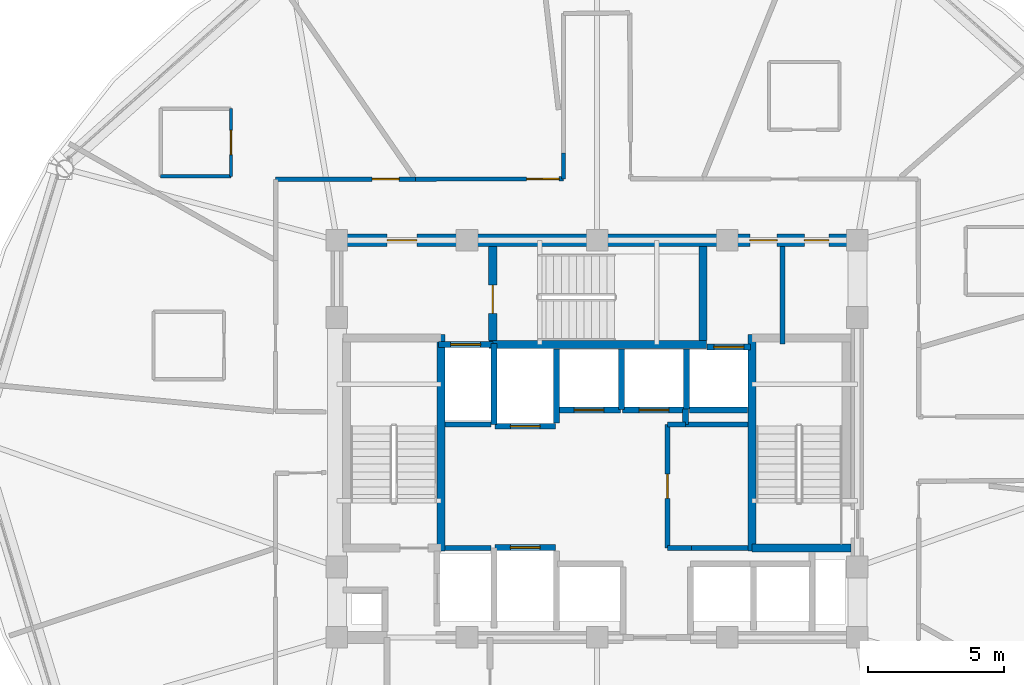
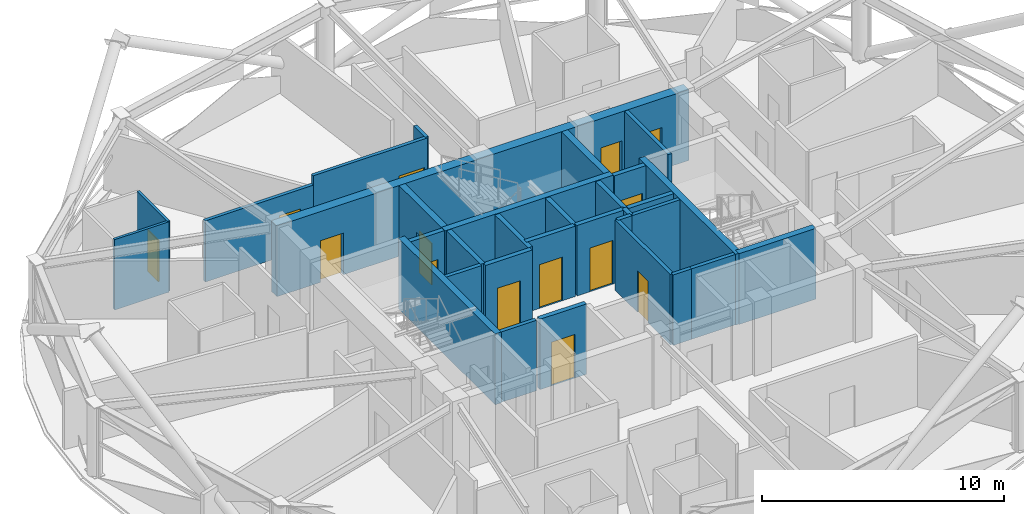
# One storey, part 24 of 30: 32 walls, 14 doors, 14 openings.
"""IFC4 building model written with IfcOpenShell, lengths in metres."""

from ifc_helpers import new_model, si_unit, direction, frame, frame_2d, origin, place, context, subcontext, project, spatial, rectangle, extrude, material, layer, layer_set, type_object, element, fill, save


model = new_model("IFC4")

# Units and contexts
model_context = context("Model", 3, precision=1e-05, world=origin(), true_north=direction((0.0, 1.0)))
body_context = subcontext(model_context, "Body", "Model", "MODEL_VIEW")
ifc_project = project(units=[si_unit("LENGTHUNIT", "METRE"), si_unit("AREAUNIT", "SQUARE_METRE"), si_unit("VOLUMEUNIT", "CUBIC_METRE"), si_unit("PLANEANGLEUNIT", "RADIAN"), si_unit("MASSUNIT", "GRAM", prefix="KILO")], contexts=[model_context])

# Site, building, storey
site_placement = place(None, origin())
site = spatial("IfcSite", under=ifc_project, at=site_placement, CompositionType="ELEMENT")
building_placement = place(site_placement, origin())
building = spatial("IfcBuilding", under=site, at=building_placement, Name="Vantalir Tower", CompositionType="ELEMENT")
storey_placement = place(building_placement, frame((0.0, 0.0, 189.89990234375)))
storey = spatial("IfcBuildingStorey", under=building, at=storey_placement, Name="L47", CompositionType="ELEMENT", Elevation=189.89990234375)

# Wall
ifc_material_1 = material(Name="Moisture-resistant en-suite partition", Category="gypsum")
ifc_layer_1 = layer(ifc_material_1, 0.125)
ifc_layer_set_1 = layer_set([ifc_layer_1], Name="Moisture-resistant en-suite partition")
wall_type_1 = type_object("IfcWallType", Name="WL-BATH-125", PredefinedType="PARTITIONING", material=ifc_layer_set_1)
wall_1_placement = place(storey_placement, frame((15.39501953125, 34.805908203125, 0.0), z_axis=(0.0, 0.0, 1.0), x_axis=(1.0, 0.0, 0.0)))
element("IfcWall", 1, at=wall_1_placement, inside=storey, type_object=wall_type_1, Name="L47 En-suite 05 South Wall", PredefinedType="PARTITIONING", context=body_context, shape_type="SweptSolid", body=[
    extrude(rectangle(XDim=2.60009765625, YDim=0.125, at=frame_2d((1.300048828125, 0.0))), origin(), (0.0, 0.0, 1.0), 3.550048828125),
])

# Wall, opening, door
wall_2_placement = place(storey_placement, frame((17.9951171875, 34.805908203125, 0.0), z_axis=(0.0, 0.0, 1.0), x_axis=(0.0, 1.0, 0.0)))
wall_2 = element("IfcWall", 2, at=wall_2_placement, inside=storey, type_object=wall_type_1, Name="L47 En-suite 05 East Wall", PredefinedType="PARTITIONING", context=body_context, shape_type="SweptSolid", body=[
    extrude(rectangle(XDim=2.5, YDim=0.125, at=frame_2d((1.25, 0.0))), origin(), (0.0, 0.0, 1.0), 3.550048828125),
])
opening_1_placement = place(wall_2_placement, frame((0.800048828125, 0.0, 0.0)))
opening_1 = element("IfcOpeningElement", 3, at=opening_1_placement, cuts=wall_2, Name="Opening D-WC", PredefinedType="OPENING", context=body_context, shape_type="SweptSolid", body=[
    extrude(rectangle(XDim=0.89990234375, YDim=2.10009765625, at=frame_2d((0.449951171875, 1.050048828125))), frame((0.0, 0.072509765625, 0.0), z_axis=(0.0, -1.0, 0.0), x_axis=(1.0, 0.0, 0.0)), (0.0, 0.0, 1.0), 0.14501953125),
])
ifc_material_2 = material(Name="Moisture-resistant hardwood door", Category="wood")
door_type_1 = type_object("IfcDoorType", Name="DR-ENSUITE-900", OperationType="NOTDEFINED", PredefinedType="DOOR", material=ifc_material_2)
door_1_placement = place(opening_1_placement, origin())
door_1 = element("IfcDoor", 4, at=door_1_placement, inside=storey, type_object=door_type_1, Name="L47 En-suite 05 Door", OperationType="SINGLE_SWING_LEFT", OverallHeight=2.10009765625, OverallWidth=0.89990234375, PredefinedType="DOOR", context=body_context, shape_type="SweptSolid", body=[
    extrude(rectangle(XDim=0.89990234375, YDim=2.10009765625, at=frame_2d((0.449951171875, 1.050048828125))), frame((0.0, 0.02490234375, 0.0), z_axis=(0.0, -1.0, 0.0), x_axis=(1.0, 0.0, 0.0)), (0.0, 0.0, 1.0), 0.050048828125),
])
fill(opening_1, door_1)

# Wall, openings, doors
ifc_material_3 = material(Name="Concrete C50/60", Category="concrete")
ifc_layer_2 = layer(ifc_material_3, 0.449951171875)
ifc_layer_set_2 = layer_set([ifc_layer_2], Name="Concrete C50/60")
wall_type_2 = type_object("IfcWallType", Name="WL-CORE-450", PredefinedType="SHEAR", material=ifc_layer_set_2)
wall_3_placement = place(storey_placement, frame((21.675048828125, 32.449951171875, 0.0), z_axis=(0.0, 0.0, 1.0), x_axis=(1.0, 0.0, 0.0)))
wall_3 = element("IfcWall", 5, at=wall_3_placement, inside=storey, type_object=wall_type_2, Name="L47 Core Shear Wall North", PredefinedType="SHEAR", context=body_context, shape_type="SweptSolid", body=[
    extrude(rectangle(XDim=19.64990234375, YDim=0.449951171875, at=frame_2d((9.824951171875, 0.0))), origin(), (0.0, 0.0, 1.0), 3.570068359375),
])
opening_2_placement = place(wall_3_placement, frame((2.074951171875, 0.0, 0.0)))
opening_2 = element("IfcOpeningElement", 6, at=opening_2_placement, cuts=wall_3, Name="Opening D-FFL", PredefinedType="OPENING", context=body_context, shape_type="SweptSolid", body=[
    extrude(rectangle(XDim=1.10009765625, YDim=2.10009765625, at=frame_2d((0.550048828125, 1.050048828125))), frame((0.0, 0.23486328125, 0.0), z_axis=(0.0, -1.0, 0.0), x_axis=(1.0, 0.0, 0.0)), (0.0, 0.0, 1.0), 0.469970703125),
])
opening_3_placement = place(wall_3_placement, frame((15.465087890625, 0.0, 0.0)))
opening_3 = element("IfcOpeningElement", 7, at=opening_3_placement, cuts=wall_3, Name="Opening D-GUEST", PredefinedType="OPENING", context=body_context, shape_type="SweptSolid", body=[
    extrude(rectangle(XDim=1.0, YDim=2.10009765625, at=frame_2d((0.5, 1.050048828125))), frame((0.0, 0.23486328125, 0.0), z_axis=(0.0, -1.0, 0.0), x_axis=(1.0, 0.0, 0.0)), (0.0, 0.0, 1.0), 0.469970703125),
])
opening_4_placement = place(wall_3_placement, frame((17.47509765625, 0.0, 0.0)))
opening_4 = element("IfcOpeningElement", 8, at=opening_4_placement, cuts=wall_3, Name="Opening D-CR", PredefinedType="OPENING", context=body_context, shape_type="SweptSolid", body=[
    extrude(rectangle(XDim=0.89990234375, YDim=2.10009765625, at=frame_2d((0.449951171875, 1.050048828125))), frame((0.0, 0.23486328125, 0.0), z_axis=(0.0, -1.0, 0.0), x_axis=(1.0, 0.0, 0.0)), (0.0, 0.0, 1.0), 0.469970703125),
])
ifc_material_4 = material(Name="Fire-rated steel core service door", Category="steel")
door_type_2 = type_object("IfcDoorType", Name="DR-CORE-SERV-900", OperationType="NOTDEFINED", PredefinedType="DOOR", material=ifc_material_4)
door_2_placement = place(opening_4_placement, frame((0.89990234375, 0.0, 0.0), z_axis=(0.0, 0.0, 1.0), x_axis=(-1.0, 0.0, 0.0)))
door_2 = element("IfcDoor", 9, at=door_2_placement, inside=storey, type_object=door_type_2, Name="L47 Housekeeping and Linen Room Door", OperationType="SINGLE_SWING_RIGHT", OverallHeight=2.10009765625, OverallWidth=0.89990234375, PredefinedType="DOOR", context=body_context, shape_type="SweptSolid", body=[
    extrude(rectangle(XDim=0.89990234375, YDim=2.10009765625, at=frame_2d((0.449951171875, 1.050048828125))), frame((0.0, 0.02490234375, 0.0), z_axis=(0.0, -1.0, 0.0), x_axis=(1.0, 0.0, 0.0)), (0.0, 0.0, 1.0), 0.050048828125),
])
fill(opening_4, door_2)
ifc_material_5 = material(Name="Fire-rated acoustic steel door", Category="steel")
door_type_3 = type_object("IfcDoorType", Name="DR-FIRE-LOBBY-1100", OperationType="NOTDEFINED", PredefinedType="DOOR", material=ifc_material_5)
door_3_placement = place(opening_2_placement, frame((1.10009765625, 0.0, 0.0), z_axis=(0.0, 0.0, 1.0), x_axis=(-1.0, 0.0, 0.0)))
door_3 = element("IfcDoor", 10, at=door_3_placement, inside=storey, type_object=door_type_3, Name="L47 Firefighting Lobby East Access Door", OperationType="SINGLE_SWING_LEFT", OverallHeight=2.10009765625, OverallWidth=1.10009765625, PredefinedType="DOOR", context=body_context, shape_type="SweptSolid", body=[
    extrude(rectangle(XDim=1.10009765625, YDim=2.10009765625, at=frame_2d((0.550048828125, 1.050048828125))), frame((0.0, 0.02490234375, 0.0), z_axis=(0.0, -1.0, 0.0), x_axis=(1.0, 0.0, 0.0)), (0.0, 0.0, 1.0), 0.050048828125),
])
fill(opening_2, door_3)
ifc_material_6 = material(Name="Solid-core teak veneer acoustic fire door", Category="wood")
door_type_4 = type_object("IfcDoorType", Name="DR-GUEST-ENTRY-1000", OperationType="NOTDEFINED", PredefinedType="DOOR", material=ifc_material_6)
door_4_placement = place(opening_3_placement, frame((1.0, 0.0, 0.0), z_axis=(0.0, 0.0, 1.0), x_axis=(-1.0, 0.0, 0.0)))
door_4 = element("IfcDoor", 11, at=door_4_placement, inside=storey, type_object=door_type_4, Name="L47 High-Rise Lift Lobby Door", OperationType="SINGLE_SWING_LEFT", OverallHeight=2.10009765625, OverallWidth=1.0, PredefinedType="DOOR", context=body_context, shape_type="SweptSolid", body=[
    extrude(rectangle(XDim=1.0, YDim=2.10009765625, at=frame_2d((0.5, 1.050048828125))), frame((0.0, 0.02490234375, 0.0), z_axis=(0.0, -1.0, 0.0), x_axis=(1.0, 0.0, 0.0)), (0.0, 0.0, 1.0), 0.050048828125),
])
fill(opening_3, door_4)

# Wall, opening, door
ifc_material_7 = material(Name="Fire-rated hotel corridor acoustic partition", Category="gypsum")
ifc_layer_3 = layer(ifc_material_7, 0.159912109375)
ifc_layer_set_3 = layer_set([ifc_layer_3], Name="Fire-rated hotel corridor acoustic partition")
wall_type_3 = type_object("IfcWallType", Name="WL-CORR-160", PredefinedType="PARTITIONING", material=ifc_layer_set_3)
wall_4_placement = place(storey_placement, frame((19.64404296875, 34.699951171875, 0.0), z_axis=(0.0, 0.0, 1.0), x_axis=(0.999999056487, 0.001373690144, 0.0)))
wall_4 = element("IfcWall", 12, at=wall_4_placement, inside=storey, type_object=wall_type_3, Name="L47 Corridor Partition 04", PredefinedType="PARTITIONING", context=body_context, shape_type="SweptSolid", body=[
    extrude(rectangle(XDim=5.154052734375, YDim=0.159912109375, at=frame_2d((2.5771484375, 0.0))), origin(), (0.0, 0.0, 1.0), 3.0810546875),
])
opening_5_placement = place(wall_4_placement, frame((3.552001953125, 0.0, 0.0)))
opening_5 = element("IfcOpeningElement", 13, at=opening_5_placement, cuts=wall_4, Name="Opening D-GUEST", PredefinedType="OPENING", context=body_context, shape_type="SweptSolid", body=[
    extrude(rectangle(XDim=1.0, YDim=2.10009765625, at=frame_2d((0.5, 1.050048828125))), frame((0.0, 0.08984375, 0.0), z_axis=(0.0, -1.0, 0.0), x_axis=(1.0, 0.0, 0.0)), (0.0, 0.0, 1.0), 0.179931640625),
])
door_5_placement = place(opening_5_placement, origin())
door_5 = element("IfcDoor", 14, at=door_5_placement, inside=storey, type_object=door_type_4, Name="L47 Twin Queen Hotel Room 05 Door", OperationType="SINGLE_SWING_LEFT", OverallHeight=2.10009765625, OverallWidth=1.0, PredefinedType="DOOR", context=body_context, shape_type="SweptSolid", body=[
    extrude(rectangle(XDim=1.0, YDim=2.10009765625, at=frame_2d((0.5, 1.050048828125))), frame((0.0, 0.02490234375, 0.0), z_axis=(0.0, -1.0, 0.0), x_axis=(1.0, 0.0, 0.0)), (0.0, 0.0, 1.0), 0.050048828125),
])
fill(opening_5, door_5)

wall_5_placement = place(storey_placement, frame((24.798095703125, 34.70703125, 0.0), z_axis=(0.0, 0.0, 1.0), x_axis=(0.999998912104, 0.001475056504, 0.0)))
wall_5 = element("IfcWall", 15, at=wall_5_placement, inside=storey, type_object=wall_type_3, Name="L47 Corridor Partition 05", PredefinedType="PARTITIONING", context=body_context, shape_type="SweptSolid", body=[
    extrude(rectangle(XDim=5.4619140625, YDim=0.159912109375, at=frame_2d((2.73095703125, 0.0))), origin(), (0.0, 0.0, 1.0), 3.550048828125),
])
opening_6_placement = place(wall_5_placement, frame((4.10205078125, 0.0, 0.0)))
opening_6 = element("IfcOpeningElement", 16, at=opening_6_placement, cuts=wall_5, Name="Opening D-STE", PredefinedType="OPENING", context=body_context, shape_type="SweptSolid", body=[
    extrude(rectangle(XDim=1.199951171875, YDim=2.10009765625, at=frame_2d((0.60009765625, 1.050048828125))), frame((0.0, 0.08984375, 0.0), z_axis=(0.0, -1.0, 0.0), x_axis=(1.0, 0.0, 0.0)), (0.0, 0.0, 1.0), 0.179931640625),
])
ifc_material_8 = material(Name="Solid-core teak veneer suite entrance door", Category="wood")
door_type_5 = type_object("IfcDoorType", Name="DR-SUITE-ENTRY-1200", OperationType="NOTDEFINED", PredefinedType="DOOR", material=ifc_material_8)
door_6_placement = place(opening_6_placement, origin())
door_6 = element("IfcDoor", 17, at=door_6_placement, inside=storey, type_object=door_type_5, Name="L47 Executive Sky Boardroom 04 Door", OperationType="SINGLE_SWING_RIGHT", OverallHeight=2.10009765625, OverallWidth=1.199951171875, PredefinedType="DOOR", context=body_context, shape_type="SweptSolid", body=[
    extrude(rectangle(XDim=1.199951171875, YDim=2.10009765625, at=frame_2d((0.60009765625, 1.050048828125))), frame((0.0, 0.02490234375, 0.0), z_axis=(0.0, -1.0, 0.0), x_axis=(1.0, 0.0, 0.0)), (0.0, 0.0, 1.0), 0.050048828125),
])
fill(opening_6, door_6)

# Walls
wall_6_placement = place(storey_placement, frame((30.260009765625, 34.715087890625, 0.0), z_axis=(0.0, 0.0, 1.0), x_axis=(0.0, 1.0, 0.0)))
element("IfcWall", 18, at=wall_6_placement, inside=storey, type_object=wall_type_3, Name="L47 Corridor Partition 06", PredefinedType="PARTITIONING", context=body_context, shape_type="SweptSolid", body=[
    extrude(rectangle(XDim=0.9609375, YDim=0.159912109375, at=frame_2d((0.48046875, 0.0))), origin(), (0.0, 0.0, 1.0), 3.550048828125),
])
ifc_material_9 = material(Name="Concrete blockwork with fireboard lining", Category="masonry")
ifc_layer_4 = layer(ifc_material_9, 0.219970703125)
ifc_layer_set_4 = layer_set([ifc_layer_4], Name="Concrete blockwork with fireboard lining")
wall_type_4 = type_object("IfcWallType", Name="WL-FFL-220", PredefinedType="PARTITIONING", material=ifc_layer_set_4)
wall_7_placement = place(storey_placement, frame((30.0, 25.7099609375, 0.0), z_axis=(0.0, 0.0, 1.0), x_axis=(0.0, 1.0, 0.0)))
element("IfcWall", 19, at=wall_7_placement, inside=storey, type_object=wall_type_4, Name="L47 Service Lift SV2 East Shaft Wall", PredefinedType="PARTITIONING", context=body_context, shape_type="SweptSolid", body=[
    extrude(rectangle(XDim=2.72998046875, YDim=0.219970703125, at=frame_2d((1.364990234375, 0.0))), origin(), (0.0, 0.0, 1.0), 3.545166015625),
])
wall_8_placement = place(storey_placement, frame((32.39990234375, 26.199951171875, 0.0), z_axis=(0.0, 0.0, 1.0), x_axis=(0.0, 1.0, 0.0)))
element("IfcWall", 20, at=wall_8_placement, inside=storey, type_object=wall_type_4, Name="L47 High-Rise Lift PL-H1/H2 Shaft Divider", PredefinedType="PARTITIONING", context=body_context, shape_type="SweptSolid", body=[
    extrude(rectangle(XDim=2.239990234375, YDim=0.219970703125, at=frame_2d((1.1201171875, 0.0))), origin(), (0.0, 0.0, 1.0), 3.545166015625),
])
wall_9_placement = place(storey_placement, frame((34.800048828125, 26.22998046875, 0.0), z_axis=(0.0, 0.0, 1.0), x_axis=(0.0, 1.0, 0.0)))
element("IfcWall", 21, at=wall_9_placement, inside=storey, type_object=wall_type_4, Name="L47 High-Rise Lift PL-H2/H3 Shaft Divider", PredefinedType="PARTITIONING", context=body_context, shape_type="SweptSolid", body=[
    extrude(rectangle(XDim=2.2099609375, YDim=0.219970703125, at=frame_2d((1.10498046875, 0.0))), origin(), (0.0, 0.0, 1.0), 3.545166015625),
])
wall_10_placement = place(storey_placement, frame((34.909912109375, 26.18994140625, 0.0), z_axis=(0.0, 0.0, 1.0), x_axis=(1.0, 0.0, 0.0)))
element("IfcWall", 22, at=wall_10_placement, inside=storey, type_object=wall_type_4, Name="L47 High-Rise Lift PL-H3 Rear Shaft Wall", PredefinedType="PARTITIONING", context=body_context, shape_type="SweptSolid", body=[
    extrude(rectangle(XDim=2.14013671875, YDim=0.219970703125, at=frame_2d((1.070068359375, 0.0))), origin(), (0.0, 0.0, 1.0), 3.545166015625),
])

# Wall, opening, door
wall_11_placement = place(storey_placement, frame((25.639892578125, 28.610107421875, 0.0), z_axis=(0.0, 0.0, 1.0), x_axis=(1.0, 0.0, 0.0)))
wall_11 = element("IfcWall", 23, at=wall_11_placement, inside=storey, type_object=wall_type_4, Name="L47 Lift FL2 Shaft Front Wall", PredefinedType="PARTITIONING", context=body_context, shape_type="SweptSolid", body=[
    extrude(rectangle(XDim=2.02001953125, YDim=0.219970703125, at=frame_2d((1.010009765625, 0.0))), origin(), (0.0, 0.0, 1.0), 3.550048828125),
])
opening_7_placement = place(wall_11_placement, frame((0.4599609375, 0.0, 0.0)))
opening_7 = element("IfcOpeningElement", 24, at=opening_7_placement, cuts=wall_11, Name="Opening LD-FL2", PredefinedType="OPENING", context=body_context, shape_type="SweptSolid", body=[
    extrude(rectangle(XDim=1.10009765625, YDim=2.199951171875, at=frame_2d((0.550048828125, 1.10009765625))), frame((0.0, 0.119873046875, 0.0), z_axis=(0.0, -1.0, 0.0), x_axis=(1.0, 0.0, 0.0)), (0.0, 0.0, 1.0), 0.239990234375),
])
ifc_material_10 = material(Name="Brushed stainless-steel sliding lift landing door", Category="steel")
door_type_6 = type_object("IfcDoorType", Name="DR-LIFT-LANDING-1100", OperationType="DOUBLE_DOOR_SLIDING", PredefinedType="DOOR", material=ifc_material_10)
door_7_placement = place(opening_7_placement, origin())
door_7 = element("IfcDoor", 25, at=door_7_placement, inside=storey, type_object=door_type_6, Name="L47 Lift Landing Door FL2", OperationType="DOUBLE_DOOR_SLIDING", OverallHeight=2.199951171875, OverallWidth=1.10009765625, PredefinedType="DOOR", context=body_context, shape_type="SweptSolid", body=[
    extrude(rectangle(XDim=1.10009765625, YDim=2.199951171875, at=frame_2d((0.550048828125, 1.10009765625))), frame((0.0, 0.02490234375, 0.0), z_axis=(0.0, -1.0, 0.0), x_axis=(1.0, 0.0, 0.0)), (0.0, 0.0, 1.0), 0.050048828125),
])
fill(opening_7, door_7)

wall_12_placement = place(storey_placement, frame((27.739990234375, 21.110107421875, 0.0), z_axis=(0.0, 0.0, 1.0), x_axis=(1.0, 0.0, 0.0)))
wall_12 = element("IfcWall", 26, at=wall_12_placement, inside=storey, type_object=wall_type_4, Name="L47 Lift SV1 Shaft Front Wall", PredefinedType="PARTITIONING", context=body_context, shape_type="SweptSolid", body=[
    extrude(rectangle(XDim=2.219970703125, YDim=0.219970703125, at=frame_2d((1.10986328125, 0.0))), origin(), (0.0, 0.0, 1.0), 3.550048828125),
])
opening_8_placement = place(wall_12_placement, frame((0.56005859375, 0.0, 0.0)))
opening_8 = element("IfcOpeningElement", 27, at=opening_8_placement, cuts=wall_12, Name="Opening LD-SV1", PredefinedType="OPENING", context=body_context, shape_type="SweptSolid", body=[
    extrude(rectangle(XDim=1.10009765625, YDim=2.199951171875, at=frame_2d((0.550048828125, 1.10009765625))), frame((0.0, 0.119873046875, 0.0), z_axis=(0.0, -1.0, 0.0), x_axis=(1.0, 0.0, 0.0)), (0.0, 0.0, 1.0), 0.239990234375),
])
door_8_placement = place(opening_8_placement, origin())
door_8 = element("IfcDoor", 28, at=door_8_placement, inside=storey, type_object=door_type_6, Name="L47 Lift Landing Door SV1", OperationType="DOUBLE_DOOR_SLIDING", OverallHeight=2.199951171875, OverallWidth=1.10009765625, PredefinedType="DOOR", context=body_context, shape_type="SweptSolid", body=[
    extrude(rectangle(XDim=1.10009765625, YDim=2.199951171875, at=frame_2d((0.550048828125, 1.10009765625))), frame((0.0, 0.02490234375, 0.0), z_axis=(0.0, -1.0, 0.0), x_axis=(1.0, 0.0, 0.0)), (0.0, 0.0, 1.0), 0.050048828125),
])
fill(opening_8, door_8)

wall_13_placement = place(storey_placement, frame((27.739990234375, 25.590087890625, 0.0), z_axis=(0.0, 0.0, 1.0), x_axis=(1.0, 0.0, 0.0)))
wall_13 = element("IfcWall", 29, at=wall_13_placement, inside=storey, type_object=wall_type_4, Name="L47 Lift SV2 Shaft Front Wall", PredefinedType="PARTITIONING", context=body_context, shape_type="SweptSolid", body=[
    extrude(rectangle(XDim=2.219970703125, YDim=0.219970703125, at=frame_2d((1.10986328125, 0.0))), origin(), (0.0, 0.0, 1.0), 3.550048828125),
])
opening_9_placement = place(wall_13_placement, frame((0.56005859375, 0.0, 0.0)))
opening_9 = element("IfcOpeningElement", 30, at=opening_9_placement, cuts=wall_13, Name="Opening LD-SV2", PredefinedType="OPENING", context=body_context, shape_type="SweptSolid", body=[
    extrude(rectangle(XDim=1.10009765625, YDim=2.199951171875, at=frame_2d((0.550048828125, 1.10009765625))), frame((0.0, 0.119873046875, 0.0), z_axis=(0.0, -1.0, 0.0), x_axis=(1.0, 0.0, 0.0)), (0.0, 0.0, 1.0), 0.239990234375),
])
door_9_placement = place(opening_9_placement, frame((1.10009765625, 0.0, 0.0), z_axis=(0.0, 0.0, 1.0), x_axis=(-1.0, 0.0, 0.0)))
door_9 = element("IfcDoor", 31, at=door_9_placement, inside=storey, type_object=door_type_6, Name="L47 Lift Landing Door SV2", OperationType="DOUBLE_DOOR_SLIDING", OverallHeight=2.199951171875, OverallWidth=1.10009765625, PredefinedType="DOOR", context=body_context, shape_type="SweptSolid", body=[
    extrude(rectangle(XDim=1.10009765625, YDim=2.199951171875, at=frame_2d((0.550048828125, 1.10009765625))), frame((0.0, 0.02490234375, 0.0), z_axis=(0.0, -1.0, 0.0), x_axis=(1.0, 0.0, 0.0)), (0.0, 0.0, 1.0), 0.050048828125),
])
fill(opening_9, door_9)

wall_14_placement = place(storey_placement, frame((30.0400390625, 26.18994140625, 0.0), z_axis=(0.0, 0.0, 1.0), x_axis=(1.0, 0.0, 0.0)))
wall_14 = element("IfcWall", 32, at=wall_14_placement, inside=storey, type_object=wall_type_4, Name="L47 Lift PL-H1 Shaft Front Wall", PredefinedType="PARTITIONING", context=body_context, shape_type="SweptSolid", body=[
    extrude(rectangle(XDim=2.320068359375, YDim=0.219970703125, at=frame_2d((1.16015625, 0.0))), origin(), (0.0, 0.0, 1.0), 3.550048828125),
])
opening_10_placement = place(wall_14_placement, frame((0.610107421875, 0.0, 0.0)))
opening_10 = element("IfcOpeningElement", 33, at=opening_10_placement, cuts=wall_14, Name="Opening LD-PL-H1", PredefinedType="OPENING", context=body_context, shape_type="SweptSolid", body=[
    extrude(rectangle(XDim=1.10009765625, YDim=2.199951171875, at=frame_2d((0.550048828125, 1.10009765625))), frame((0.0, 0.119873046875, 0.0), z_axis=(0.0, -1.0, 0.0), x_axis=(1.0, 0.0, 0.0)), (0.0, 0.0, 1.0), 0.239990234375),
])
door_10_placement = place(opening_10_placement, frame((1.10009765625, 0.0, 0.0), z_axis=(0.0, 0.0, 1.0), x_axis=(-1.0, 0.0, 0.0)))
door_10 = element("IfcDoor", 34, at=door_10_placement, inside=storey, type_object=door_type_6, Name="L47 Lift Landing Door PL-H1", OperationType="DOUBLE_DOOR_SLIDING", OverallHeight=2.199951171875, OverallWidth=1.10009765625, PredefinedType="DOOR", context=body_context, shape_type="SweptSolid", body=[
    extrude(rectangle(XDim=1.10009765625, YDim=2.199951171875, at=frame_2d((0.550048828125, 1.10009765625))), frame((0.0, 0.02490234375, 0.0), z_axis=(0.0, -1.0, 0.0), x_axis=(1.0, 0.0, 0.0)), (0.0, 0.0, 1.0), 0.050048828125),
])
fill(opening_10, door_10)

wall_15_placement = place(storey_placement, frame((32.43994140625, 26.18994140625, 0.0), z_axis=(0.0, 0.0, 1.0), x_axis=(1.0, 0.0, 0.0)))
wall_15 = element("IfcWall", 35, at=wall_15_placement, inside=storey, type_object=wall_type_4, Name="L47 Lift PL-H2 Shaft Front Wall", PredefinedType="PARTITIONING", context=body_context, shape_type="SweptSolid", body=[
    extrude(rectangle(XDim=2.320068359375, YDim=0.219970703125, at=frame_2d((1.16015625, 0.0))), origin(), (0.0, 0.0, 1.0), 3.550048828125),
])
opening_11_placement = place(wall_15_placement, frame((0.610107421875, 0.0, 0.0)))
opening_11 = element("IfcOpeningElement", 36, at=opening_11_placement, cuts=wall_15, Name="Opening LD-PL-H2", PredefinedType="OPENING", context=body_context, shape_type="SweptSolid", body=[
    extrude(rectangle(XDim=1.10009765625, YDim=2.199951171875, at=frame_2d((0.550048828125, 1.10009765625))), frame((0.0, 0.119873046875, 0.0), z_axis=(0.0, -1.0, 0.0), x_axis=(1.0, 0.0, 0.0)), (0.0, 0.0, 1.0), 0.239990234375),
])
door_11_placement = place(opening_11_placement, frame((1.10009765625, 0.0, 0.0), z_axis=(0.0, 0.0, 1.0), x_axis=(-1.0, 0.0, 0.0)))
door_11 = element("IfcDoor", 37, at=door_11_placement, inside=storey, type_object=door_type_6, Name="L47 Lift Landing Door PL-H2", OperationType="DOUBLE_DOOR_SLIDING", OverallHeight=2.199951171875, OverallWidth=1.10009765625, PredefinedType="DOOR", context=body_context, shape_type="SweptSolid", body=[
    extrude(rectangle(XDim=1.10009765625, YDim=2.199951171875, at=frame_2d((0.550048828125, 1.10009765625))), frame((0.0, 0.02490234375, 0.0), z_axis=(0.0, -1.0, 0.0), x_axis=(1.0, 0.0, 0.0)), (0.0, 0.0, 1.0), 0.050048828125),
])
fill(opening_11, door_11)

wall_16_placement = place(storey_placement, frame((35.56005859375, 28.510009765625, 0.0), z_axis=(0.0, 0.0, 1.0), x_axis=(1.0, 0.0, 0.0)))
wall_16 = element("IfcWall", 38, at=wall_16_placement, inside=storey, type_object=wall_type_4, Name="L47 Lift PL-H3 Shaft Front Wall", PredefinedType="PARTITIONING", context=body_context, shape_type="SweptSolid", body=[
    extrude(rectangle(XDim=1.599853515625, YDim=0.219970703125, at=frame_2d((0.7998046875, 0.0))), origin(), (0.0, 0.0, 1.0), 3.550048828125),
])
opening_12_placement = place(wall_16_placement, frame((0.25, 0.0, 0.0)))
opening_12 = element("IfcOpeningElement", 39, at=opening_12_placement, cuts=wall_16, Name="Opening LD-PL-H3", PredefinedType="OPENING", context=body_context, shape_type="SweptSolid", body=[
    extrude(rectangle(XDim=1.10009765625, YDim=2.199951171875, at=frame_2d((0.550048828125, 1.10009765625))), frame((0.0, 0.119873046875, 0.0), z_axis=(0.0, -1.0, 0.0), x_axis=(1.0, 0.0, 0.0)), (0.0, 0.0, 1.0), 0.239990234375),
])
door_12_placement = place(opening_12_placement, origin())
door_12 = element("IfcDoor", 40, at=door_12_placement, inside=storey, type_object=door_type_6, Name="L47 Lift Landing Door PL-H3", OperationType="DOUBLE_DOOR_SLIDING", OverallHeight=2.199951171875, OverallWidth=1.10009765625, PredefinedType="DOOR", context=body_context, shape_type="SweptSolid", body=[
    extrude(rectangle(XDim=1.10009765625, YDim=2.199951171875, at=frame_2d((0.550048828125, 1.10009765625))), frame((0.0, 0.02490234375, 0.0), z_axis=(0.0, -1.0, 0.0), x_axis=(1.0, 0.0, 0.0)), (0.0, 0.0, 1.0), 0.050048828125),
])
fill(opening_12, door_12)

# Walls
wall_17_placement = place(storey_placement, frame((27.699951171875, 25.64990234375, 0.0), z_axis=(0.0, 0.0, 1.0), x_axis=(0.0, 1.0, 0.0)))
element("IfcWall", 41, at=wall_17_placement, inside=storey, type_object=wall_type_4, Name="L47 Fire Lift FL2 Dividing Wall", PredefinedType="PARTITIONING", context=body_context, shape_type="SweptSolid", body=[
    extrude(rectangle(XDim=3.0, YDim=0.219970703125, at=frame_2d((1.5, 0.0))), origin(), (0.0, 0.0, 1.0), 3.550048828125),
])
wall_18_placement = place(storey_placement, frame((34.760009765625, 25.64990234375, 0.0), z_axis=(0.0, 0.0, 1.0), x_axis=(0.0, 1.0, 0.0)))
element("IfcWall", 42, at=wall_18_placement, inside=storey, type_object=wall_type_4, Name="L47 High-Rise Shaft Shoulder Wall", PredefinedType="PARTITIONING", context=body_context, shape_type="SweptSolid", body=[
    extrude(rectangle(XDim=0.570068359375, YDim=0.219970703125, at=frame_2d((0.28515625, 0.0))), origin(), (0.0, 0.0, 1.0), 3.550048828125),
])
ifc_material_11 = material(Name="Twin-stud acoustic fire-rated gypsum partition", Category="gypsum")
ifc_layer_5 = layer(ifc_material_11, 0.179931640625)
ifc_layer_set_5 = layer_set([ifc_layer_5], Name="Twin-stud acoustic fire-rated gypsum partition")
wall_type_5 = type_object("IfcWallType", Name="WL-GUEST-180", PredefinedType="PARTITIONING", material=ifc_layer_set_5)
for number, where, z_axis, x_axis, name in (
    (43, (25.889892578125, 21.10009765625, 0.0), (0.0, 0.0, 1.0), (1.0, 0.0, 0.0), "L47 Freed West Core South Wall"),
    (44, (25.889892578125, 25.64990234375, 0.0), (0.0, 0.0, 1.0), (1.0, 0.0, 0.0), "L47 Freed West Core North Wall"),
):
    element("IfcWall", number, at=place(storey_placement, frame(where, z_axis=z_axis, x_axis=x_axis)), inside=storey, type_object=wall_type_5, Name=name, PredefinedType="PARTITIONING", context=body_context, shape_type="SweptSolid", body=[
        extrude(rectangle(XDim=1.7001953125, YDim=0.179931640625, at=frame_2d((0.85009765625, 0.0))), origin(), (0.0, 0.0, 1.0), 3.550048828125),
    ])
wall_19_placement = place(storey_placement, frame((34.97998046875, 21.10009765625, 0.0), z_axis=(0.0, 0.0, 1.0), x_axis=(1.0, 0.0, 0.0)))
element("IfcWall", 45, at=wall_19_placement, inside=storey, type_object=wall_type_5, Name="L47 Freed East Core South Wall", PredefinedType="PARTITIONING", context=body_context, shape_type="SweptSolid", body=[
    extrude(rectangle(XDim=2.080078125, YDim=0.179931640625, at=frame_2d((1.0400390625, 0.0))), origin(), (0.0, 0.0, 1.0), 3.550048828125),
])
wall_20_placement = place(storey_placement, frame((34.719970703125, 25.64990234375, 0.0), z_axis=(0.0, 0.0, 1.0), x_axis=(1.0, 0.0, 0.0)))
element("IfcWall", 46, at=wall_20_placement, inside=storey, type_object=wall_type_5, Name="L47 Freed East Core North Wall", PredefinedType="PARTITIONING", context=body_context, shape_type="SweptSolid", body=[
    extrude(rectangle(XDim=2.340087890625, YDim=0.179931640625, at=frame_2d((1.169921875, 0.0))), origin(), (0.0, 0.0, 1.0), 3.550048828125),
])
wall_21_placement = place(storey_placement, frame((34.10009765625, 21.10009765625, 0.0), z_axis=(0.0, 0.0, 1.0), x_axis=(1.0, 0.0, 0.0)))
element("IfcWall", 47, at=wall_21_placement, inside=storey, type_object=wall_type_5, Name="L47 East Core Room South Return", PredefinedType="PARTITIONING", context=body_context, shape_type="SweptSolid", body=[
    extrude(rectangle(XDim=0.8798828125, YDim=0.179931640625, at=frame_2d((0.43994140625, 0.0))), origin(), (0.0, 0.0, 1.0), 3.550048828125),
])
wall_22_placement = place(storey_placement, frame((34.10009765625, 25.64990234375, 0.0), z_axis=(0.0, 0.0, 1.0), x_axis=(1.0, 0.0, 0.0)))
element("IfcWall", 48, at=wall_22_placement, inside=storey, type_object=wall_type_5, Name="L47 East Core Room North Return", PredefinedType="PARTITIONING", context=body_context, shape_type="SweptSolid", body=[
    extrude(rectangle(XDim=0.659912109375, YDim=0.179931640625, at=frame_2d((0.330078125, 0.0))), origin(), (0.0, 0.0, 1.0), 3.550048828125),
])

# Wall, opening, door
wall_23_placement = place(storey_placement, frame((34.10009765625, 21.10009765625, 0.0), z_axis=(0.0, 0.0, 1.0), x_axis=(0.0, 1.0, 0.0)))
wall_23 = element("IfcWall", 49, at=wall_23_placement, inside=storey, type_object=wall_type_5, Name="L47 East Core Room West Wall", PredefinedType="PARTITIONING", context=body_context, shape_type="SweptSolid", body=[
    extrude(rectangle(XDim=4.5498046875, YDim=0.179931640625, at=frame_2d((2.27490234375, 0.0))), origin(), (0.0, 0.0, 1.0), 3.550048828125),
])
opening_13_placement = place(wall_23_placement, frame((1.824951171875, 0.0, 0.0)))
opening_13 = element("IfcOpeningElement", 50, at=opening_13_placement, cuts=wall_23, Name="Opening D-CR", PredefinedType="OPENING", context=body_context, shape_type="SweptSolid", body=[
    extrude(rectangle(XDim=0.89990234375, YDim=2.10009765625, at=frame_2d((0.449951171875, 1.050048828125))), frame((0.0, 0.099853515625, 0.0), z_axis=(0.0, -1.0, 0.0), x_axis=(1.0, 0.0, 0.0)), (0.0, 0.0, 1.0), 0.199951171875),
])
door_13_placement = place(opening_13_placement, frame((0.89990234375, 0.0, 0.0), z_axis=(0.0, 0.0, 1.0), x_axis=(-1.0, 0.0, 0.0)))
door_13 = element("IfcDoor", 51, at=door_13_placement, inside=storey, type_object=door_type_2, Name="L47 Core Linen Store Door", OperationType="SINGLE_SWING_LEFT", OverallHeight=2.10009765625, OverallWidth=0.89990234375, PredefinedType="DOOR", context=body_context, shape_type="SweptSolid", body=[
    extrude(rectangle(XDim=0.89990234375, YDim=2.10009765625, at=frame_2d((0.449951171875, 1.050048828125))), frame((0.0, 0.02490234375, 0.0), z_axis=(0.0, -1.0, 0.0), x_axis=(1.0, 0.0, 0.0)), (0.0, 0.0, 1.0), 0.050048828125),
])
fill(opening_13, door_13)

# Walls
wall_24_placement = place(storey_placement, frame((38.340087890625, 28.6201171875, 0.0), z_axis=(0.0, 0.0, 1.0), x_axis=(0.0, 1.0, 0.0)))
element("IfcWall", 52, at=wall_24_placement, inside=storey, type_object=wall_type_5, Name="L47 High-Rise Lift Lobby East Wall", PredefinedType="PARTITIONING", context=body_context, shape_type="SweptSolid", body=[
    extrude(rectangle(XDim=3.60498046875, YDim=0.179931640625, at=frame_2d((1.802490234375, 0.0))), origin(), (0.0, 0.0, 1.0), 3.550048828125),
])
ifc_layer_6 = layer(ifc_material_3, 0.300048828125)
ifc_layer_set_6 = layer_set([ifc_layer_6], Name="Concrete C50/60")
wall_type_6 = type_object("IfcWallType", Name="WL-STAIR-300", PredefinedType="SHEAR", material=ifc_layer_set_6)
wall_25_placement = place(storey_placement, frame((25.739990234375, 20.97998046875, 0.0), z_axis=(0.0, 0.0, 1.0), x_axis=(0.0, 1.0, 0.0)))
element("IfcWall", 53, at=wall_25_placement, inside=storey, type_object=wall_type_6, Name="L47 Stair ST1 East Wall", PredefinedType="SHEAR", context=body_context, shape_type="SweptSolid", body=[
    extrude(rectangle(XDim=7.989990234375, YDim=0.300048828125, at=frame_2d((3.9951171875, 0.0))), origin(), (0.0, 0.0, 1.0), 3.570068359375),
])
wall_26_placement = place(storey_placement, frame((37.2099609375, 21.10009765625, 0.0), z_axis=(0.0, 0.0, 1.0), x_axis=(1.0, 0.0, 0.0)))
element("IfcWall", 54, at=wall_26_placement, inside=storey, type_object=wall_type_6, Name="L47 Stair ST2 South Wall", PredefinedType="SHEAR", context=body_context, shape_type="SweptSolid", body=[
    extrude(rectangle(XDim=3.6650390625, YDim=0.300048828125, at=frame_2d((1.83251953125, 0.0))), origin(), (0.0, 0.0, 1.0), 3.570068359375),
])
wall_27_placement = place(storey_placement, frame((37.2099609375, 20.97998046875, 0.0), z_axis=(0.0, 0.0, 1.0), x_axis=(0.0, 1.0, 0.0)))
element("IfcWall", 55, at=wall_27_placement, inside=storey, type_object=wall_type_6, Name="L47 Stair ST2 West Wall", PredefinedType="SHEAR", context=body_context, shape_type="SweptSolid", body=[
    extrude(rectangle(XDim=7.989990234375, YDim=0.300048828125, at=frame_2d((3.9951171875, 0.0))), origin(), (0.0, 0.0, 1.0), 3.570068359375),
])
wall_28_placement = place(storey_placement, frame((27.510009765625, 28.60009765625, 0.0), z_axis=(0.0, 0.0, 1.0), x_axis=(1.0, 0.0, 0.0)))
element("IfcWall", 56, at=wall_28_placement, inside=storey, type_object=wall_type_6, Name="L47 Stair ST3 South Wall", PredefinedType="SHEAR", context=body_context, shape_type="SweptSolid", body=[
    extrude(rectangle(XDim=8.030029296875, YDim=0.300048828125, at=frame_2d((4.01513671875, 0.0))), origin(), (0.0, 0.0, 1.0), 3.570068359375),
])

# Wall, opening, door
wall_29_placement = place(storey_placement, frame((27.64990234375, 28.75, 0.0), z_axis=(0.0, 0.0, 1.0), x_axis=(0.0, 1.0, 0.0)))
wall_29 = element("IfcWall", 57, at=wall_29_placement, inside=storey, type_object=wall_type_6, Name="L47 Stair ST3 West Wall", PredefinedType="SHEAR", context=body_context, shape_type="SweptSolid", body=[
    extrude(rectangle(XDim=3.47509765625, YDim=0.300048828125, at=frame_2d((1.737548828125, 0.0))), origin(), (0.0, 0.0, 1.0), 3.570068359375),
])
opening_14_placement = place(wall_29_placement, frame((1.0, 0.0, 0.0)))
opening_14 = element("IfcOpeningElement", 58, at=opening_14_placement, cuts=wall_29, Name="Opening D-ST", PredefinedType="OPENING", context=body_context, shape_type="SweptSolid", body=[
    extrude(rectangle(XDim=1.050048828125, YDim=2.10009765625, at=frame_2d((0.52490234375, 1.050048828125))), frame((0.0, 0.159912109375, 0.0), z_axis=(0.0, -1.0, 0.0), x_axis=(1.0, 0.0, 0.0)), (0.0, 0.0, 1.0), 0.320068359375),
])
ifc_material_12 = material(Name="Fire-rated steel door leaf", Category="steel")
door_type_7 = type_object("IfcDoorType", Name="DR-FIRE-STAIR-1050", OperationType="NOTDEFINED", PredefinedType="DOOR", material=ifc_material_12)
door_14_placement = place(opening_14_placement, frame((1.050048828125, 0.0, 0.0), z_axis=(0.0, 0.0, 1.0), x_axis=(-1.0, 0.0, 0.0)))
door_14 = element("IfcDoor", 59, at=door_14_placement, inside=storey, type_object=door_type_7, Name="L47 Exit Stair ST3 Fire Door", OperationType="SINGLE_SWING_RIGHT", OverallHeight=2.10009765625, OverallWidth=1.050048828125, PredefinedType="DOOR", context=body_context, shape_type="SweptSolid", body=[
    extrude(rectangle(XDim=1.050048828125, YDim=2.10009765625, at=frame_2d((0.52490234375, 1.050048828125))), frame((0.0, 0.02490234375, 0.0), z_axis=(0.0, -1.0, 0.0), x_axis=(1.0, 0.0, 0.0)), (0.0, 0.0, 1.0), 0.050048828125),
])
fill(opening_14, door_14)

# Wall
wall_30_placement = place(storey_placement, frame((35.39990234375, 28.75, 0.0), z_axis=(0.0, 0.0, 1.0), x_axis=(0.0, 1.0, 0.0)))
element("IfcWall", 60, at=wall_30_placement, inside=storey, type_object=wall_type_6, Name="L47 Stair ST3 East Wall", PredefinedType="SHEAR", context=body_context, shape_type="SweptSolid", body=[
    extrude(rectangle(XDim=3.47509765625, YDim=0.300048828125, at=frame_2d((1.737548828125, 0.0))), origin(), (0.0, 0.0, 1.0), 3.570068359375),
])

save(model, "model.ifc")
